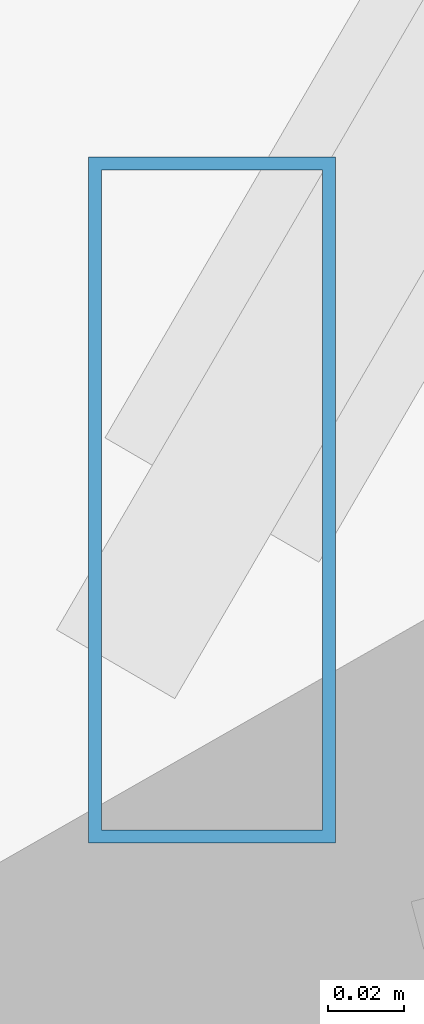
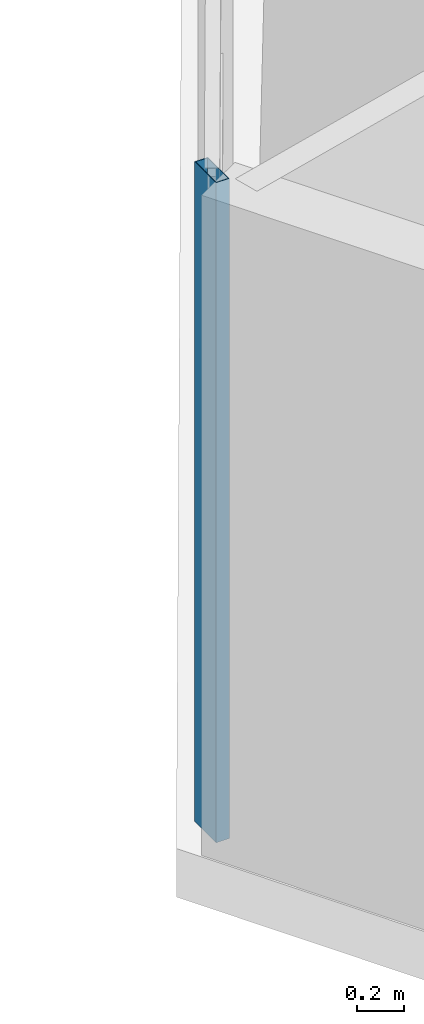
# One storey, part 5 of 35: 1 member, 1 element without a shape of its own.
"""IFC4 building model written with IfcOpenShell, lengths in metres."""

from ifc_helpers import new_model, si_unit, direction, frame, origin, origin_2d, place, context, subcontext, project, spatial, hollow_rectangle, extrude, source, transform, mapped, material, material_profile, profile_set, type_object, type_shapes, element, aggregate, save


model = new_model("IFC4")

# Units and contexts
model_context = context("Model", 3, precision=1e-05, world=origin(), true_north=direction((0.0, 1.0)))
body_context = subcontext(model_context, "Body", "Model", "MODEL_VIEW")
ifc_project = project(units=[si_unit("LENGTHUNIT", "METRE"), si_unit("AREAUNIT", "SQUARE_METRE"), si_unit("VOLUMEUNIT", "CUBIC_METRE"), si_unit("PLANEANGLEUNIT", "RADIAN"), si_unit("MASSUNIT", "GRAM", prefix="KILO")], contexts=[model_context])

# Site, building, storey
site_placement = place(None, origin())
site = spatial("IfcSite", under=ifc_project, at=site_placement, CompositionType="ELEMENT")
building_placement = place(site_placement, origin())
building = spatial("IfcBuilding", under=site, at=building_placement, Name="Caelisora Broadcast Tower", CompositionType="ELEMENT")
storey_placement = place(building_placement, frame((0.0, 0.0, 53.14990234375)))
storey = spatial("IfcBuildingStorey", under=building, at=storey_placement, Name="L13", CompositionType="ELEMENT", Elevation=53.14990234375)

# Curtain wall, member
ifc_material_1 = material(Name="Unitised Aluminium and Low-E Glass Curtain Wall", Category="glass")
curtain_wall_type = type_object("IfcCurtainWallType", Name="CW-Z1", PredefinedType="NOTDEFINED", material=ifc_material_1)
curtain_wall_placement = place(storey_placement, origin())
curtain_wall = element("IfcCurtainWall", 1, at=curtain_wall_placement, inside=storey, type_object=curtain_wall_type, Name="L13 curtain wall CW-Z1", PredefinedType="NOTDEFINED")
ifc_material_2 = material(Name="Aluminium 6063-T6 Anodised Terracotta Bronze", Category="aluminium")
ifc_material_profile = material_profile(ifc_material_2, hollow_rectangle(XDim=0.06494140625, YDim=0.179931640625, WallThickness=0.00341796875, at=origin_2d()), Name="Aluminium 6063-T6 Anodised Terracotta Bronze")
ifc_profile_set = profile_set([ifc_material_profile], Name="Aluminium 6063-T6 Anodised Terracotta Bronze")
member_type = type_object("IfcMemberType", Name="CWM-02", PredefinedType="MULLION", material=ifc_profile_set)
shared_shape = source(origin(), body_context, "Body", "SweptSolid", [
    extrude(hollow_rectangle(XDim=0.06494140625, YDim=0.179931640625, WallThickness=0.00341796875, at=origin_2d()), origin(), (0.0, 0.0, 1.0), 3.400146484375),
])
type_shapes(member_type, [shared_shape])
member_placement = place(storey_placement, frame((11.168212890625, 17.0380859375, 0.0), z_axis=(0.0, 0.0, 1.0), x_axis=(1.0, 0.0, 0.0)))
member = element("IfcMember", 2, at=member_placement, type_object=member_type, Name="L13-CW-B09 mullion #0", PredefinedType="MULLION", context=body_context, shape_type="MappedRepresentation", body=[
    mapped(shared_shape, transform((0.0, 0.0, 0.0), scale=1.0)),
])
aggregate(curtain_wall, [member])

save(model, "model.ifc")
